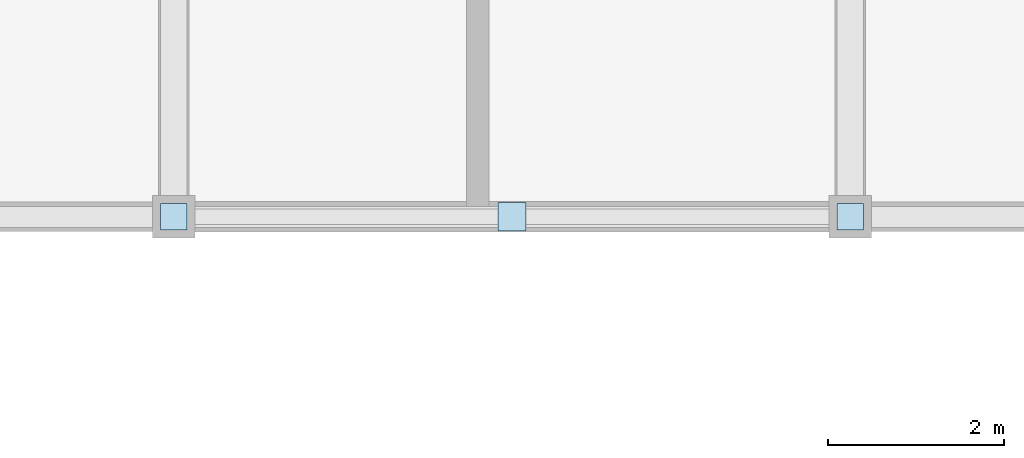
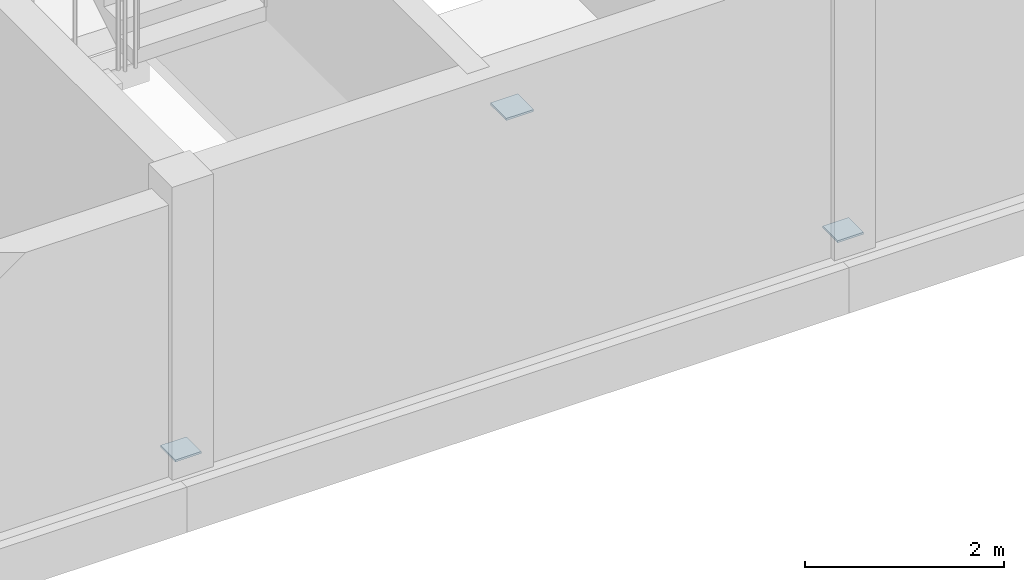
# One storey, part 39 of 51: 3 plates.
"""IFC4 building model written with IfcOpenShell, lengths in metres."""

from ifc_helpers import new_model, si_unit, direction, frame, origin, origin_2d, place, context, subcontext, project, spatial, rectangle, extrude, material, layer, layer_set, type_object, element, save


model = new_model("IFC4")

# Units and contexts
model_context = context("Model", 3, precision=1e-05, world=origin(), true_north=direction((0.0, 1.0)))
body_context = subcontext(model_context, "Body", "Model", "MODEL_VIEW")
ifc_project = project(units=[si_unit("LENGTHUNIT", "METRE"), si_unit("AREAUNIT", "SQUARE_METRE"), si_unit("VOLUMEUNIT", "CUBIC_METRE"), si_unit("PLANEANGLEUNIT", "RADIAN"), si_unit("MASSUNIT", "GRAM", prefix="KILO")], contexts=[model_context])

# Site, building, storey
site_placement = place(None, origin())
site = spatial("IfcSite", under=ifc_project, at=site_placement, CompositionType="ELEMENT")
building_placement = place(site_placement, origin())
building = spatial("IfcBuilding", under=site, at=building_placement, Name="Vharandega Faculty of Natural Sciences", CompositionType="ELEMENT")
storey_placement = place(building_placement, frame((0.0, 0.0, 18.0)))
storey = spatial("IfcBuildingStorey", under=building, at=storey_placement, Name="L04", CompositionType="ELEMENT", Elevation=18.0)

# Plates
ifc_material = material(Name="Steel S355", Category="steel")
ifc_layer = layer(ifc_material, 0.02490234375, Name="Steel S355")
ifc_layer_set = layer_set([ifc_layer], Name="Steel S355")
plate_type = type_object("IfcPlateType", Name="Hollow Section End Cap Plate 25mm", PredefinedType="USERDEFINED", material=ifc_layer_set)
plate_1_placement = place(storey_placement, frame((146.0, 64.0, 0.137451171875), z_axis=(0.0, 0.0, 1.0), x_axis=(1.0, 0.0, 0.0)))
element("IfcPlate", 1, at=plate_1_placement, inside=storey, type_object=plate_type, Name="Node Cap Plate CHV-J2-L04 #95", ObjectType="CAP PLATE", PredefinedType="USERDEFINED", context=body_context, shape_type="SweptSolid", body=[
    extrude(rectangle(XDim=0.300048828125, YDim=0.300048828125, at=origin_2d()), origin(), (0.0, 0.0, 1.0), 0.02490234375),
])
plate_2_placement = place(storey_placement, frame((149.85009765625, 64.0, 2.99755859375), z_axis=(0.0, 0.0, 1.0), x_axis=(1.0, 0.0, 0.0)))
element("IfcPlate", 2, at=plate_2_placement, inside=storey, type_object=plate_type, Name="Node Cap Plate CHV-J2-L04 #96", ObjectType="CAP PLATE", PredefinedType="USERDEFINED", context=body_context, shape_type="SweptSolid", body=[
    extrude(rectangle(XDim=0.320068359375, YDim=0.320068359375, at=origin_2d()), origin(), (0.0, 0.0, 1.0), 0.02490234375),
])
plate_3_placement = place(storey_placement, frame((153.699951171875, 64.0, 0.137451171875), z_axis=(0.0, 0.0, 1.0), x_axis=(1.0, 0.0, 0.0)))
element("IfcPlate", 3, at=plate_3_placement, inside=storey, type_object=plate_type, Name="Node Cap Plate CHV-J2-L04 #97", ObjectType="CAP PLATE", PredefinedType="USERDEFINED", context=body_context, shape_type="SweptSolid", body=[
    extrude(rectangle(XDim=0.300048828125, YDim=0.300048828125, at=origin_2d()), origin(), (0.0, 0.0, 1.0), 0.02490234375),
])

save(model, "model.ifc")
